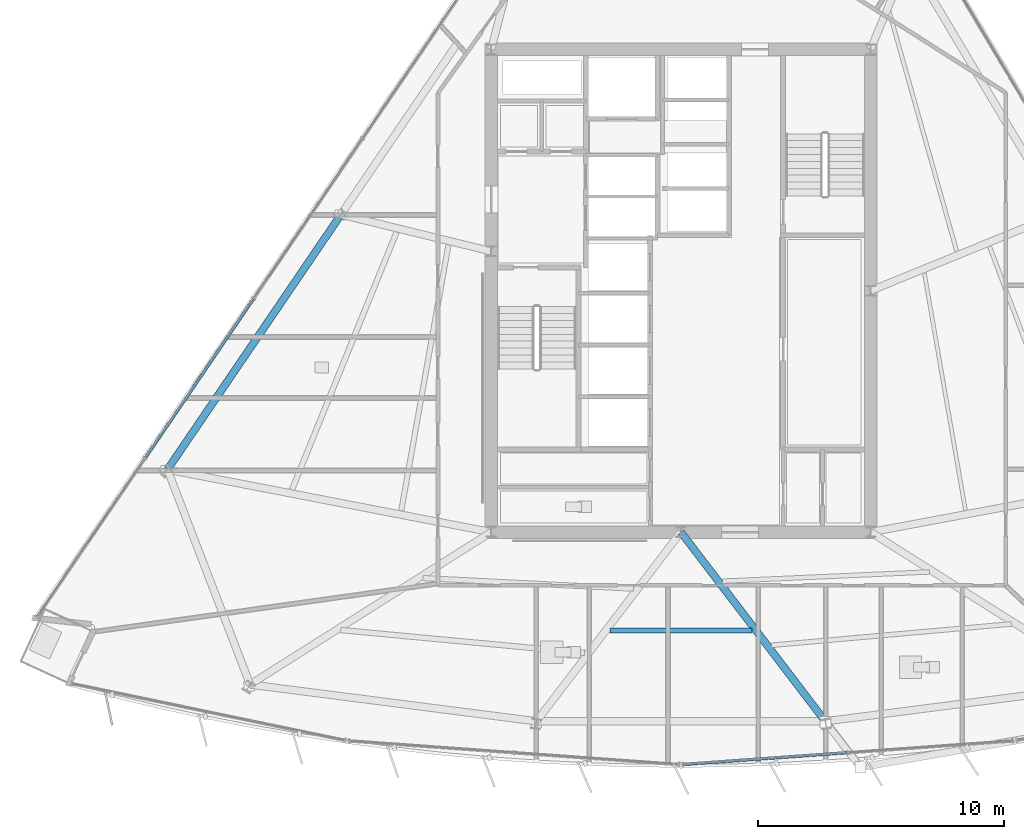
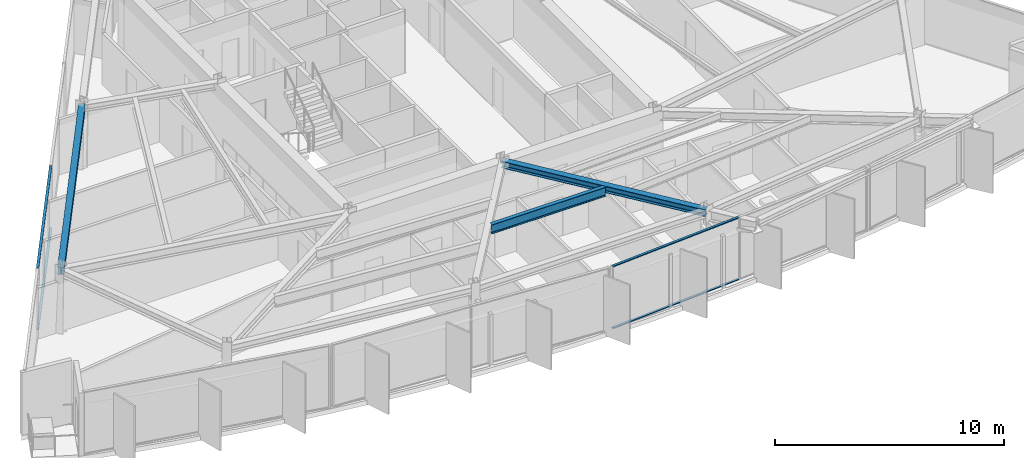
# One storey, part 3 of 15: 4 members, 3 beams, 2 elements without a shape of their own.
"""IFC4 building model written with IfcOpenShell, lengths in metres."""

from ifc_helpers import new_model, si_unit, direction, frame, origin, origin_2d, place, context, subcontext, project, spatial, rectangle, i_section, extrude, material, material_profile, profile_set, type_object, element, aggregate, save


model = new_model("IFC4")

# Units and contexts
model_context = context("Model", 3, precision=1e-05, world=origin(), true_north=direction((0.0, 1.0)))
body_context = subcontext(model_context, "Body", "Model", "MODEL_VIEW")
ifc_project = project(units=[si_unit("LENGTHUNIT", "METRE"), si_unit("AREAUNIT", "SQUARE_METRE"), si_unit("VOLUMEUNIT", "CUBIC_METRE"), si_unit("PLANEANGLEUNIT", "RADIAN"), si_unit("MASSUNIT", "GRAM", prefix="KILO")], contexts=[model_context])

# Site, building, storey
site_placement = place(None, origin())
site = spatial("IfcSite", under=ifc_project, at=site_placement, CompositionType="ELEMENT")
building_placement = place(site_placement, origin())
building = spatial("IfcBuilding", under=site, at=building_placement, Name="Savorim Split Tower", CompositionType="ELEMENT")
storey_placement = place(building_placement, frame((0.0, 0.0, 167.39990234375)))
storey = spatial("IfcBuildingStorey", under=building, at=storey_placement, Name="L44", CompositionType="ELEMENT", Elevation=167.39990234375)

# Beams
ifc_material_1 = material(Name="Steel S355", Category="steel")
ifc_material_profile_1 = material_profile(ifc_material_1, i_section(OverallWidth=0.199951171875, OverallDepth=0.5, WebThickness=0.01025390625, FlangeThickness=0.01611328125, FilletRadius=0.02099609375, at=origin_2d()), Name="IPE 500")
ifc_profile_set_1 = profile_set([ifc_material_profile_1], Name="Steel S355")
beam_type_1 = type_object("IfcBeamType", Name="BM-JST-IPE500", PredefinedType="JOIST", material=ifc_profile_set_1)
beam_1_placement = place(storey_placement, frame((-2.887939453125, -13.392822265625, 3.10009765625), z_axis=(1.0, 0.0, 0.0), x_axis=(0.0, 1.0, 0.0)))
element("IfcBeam", 1, at=beam_1_placement, inside=storey, type_object=beam_type_1, Name="L44 Secondary Floor Joist JS-03", PredefinedType="JOIST", context=body_context, shape_type="SweptSolid", body=[
    extrude(i_section(OverallWidth=0.199951171875, OverallDepth=0.5, WebThickness=0.01025390625, FlangeThickness=0.01611328125, FilletRadius=0.02099609375, at=origin_2d()), origin(), (0.0, 0.0, 1.0), 5.77587890625),
])
ifc_material_profile_2 = material_profile(ifc_material_1, i_section(OverallWidth=0.300048828125, OverallDepth=0.360107421875, WebThickness=0.012451171875, FlangeThickness=0.0224609375, FilletRadius=0.027099609375, at=origin_2d()), Name="HEB 360")
ifc_profile_set_2 = profile_set([ifc_material_profile_2], Name="Steel S355")
beam_type_2 = type_object("IfcBeamType", Name="BM-PRI-HEB360", PredefinedType="BEAM", material=ifc_profile_set_2)
beam_2_placement = place(storey_placement, frame((5.861328125, -17.07861328125, 3.170166015625), z_axis=(-0.606755694111, 0.794888374342, 0.0), x_axis=(-0.794888374342, -0.606755694111, 0.0)))
element("IfcBeam", 2, at=beam_2_placement, inside=storey, type_object=beam_type_2, Name="L44 Primary Floor Girder RG-03", PredefinedType="BEAM", context=body_context, shape_type="SweptSolid", body=[
    extrude(i_section(OverallWidth=0.300048828125, OverallDepth=0.360107421875, WebThickness=0.012451171875, FlangeThickness=0.0224609375, FilletRadius=0.027099609375, at=origin_2d()), origin(), (0.0, 0.0, 1.0), 9.66015625),
])
ifc_material_profile_3 = material_profile(ifc_material_1, i_section(OverallWidth=0.300048828125, OverallDepth=0.389892578125, WebThickness=0.010986328125, FlangeThickness=0.01904296875, FilletRadius=0.027099609375, at=origin_2d()), Name="HEA 400")
ifc_profile_set_3 = profile_set([ifc_material_profile_3], Name="Steel S355")
beam_type_3 = type_object("IfcBeamType", Name="BM-SPN-HEA400", PredefinedType="SPANDREL", material=ifc_profile_set_3)
beam_3_placement = place(storey_placement, frame((-13.798583984375, 3.492919921875, 3.155029296875), z_axis=(-0.562470025242, -0.826817676822, 0.0), x_axis=(0.826817676822, -0.562470025242, 0.0)))
element("IfcBeam", 3, at=beam_3_placement, inside=storey, type_object=beam_type_3, Name="L44 Perimeter Spandrel Beam 9", PredefinedType="SPANDREL", context=body_context, shape_type="SweptSolid", body=[
    extrude(i_section(OverallWidth=0.300048828125, OverallDepth=0.389892578125, WebThickness=0.010986328125, FlangeThickness=0.01904296875, FilletRadius=0.027099609375, at=origin_2d()), origin(), (0.0, 0.0, 1.0), 12.519775390625),
])

# Curtain wall, members
ifc_material_2 = material(Name="Dark Ceramic-Fritted Insulated Glass", Category="glass")
curtain_wall_type = type_object("IfcCurtainWallType", Name="CW-TWR-FRIT-B", PredefinedType="NOTDEFINED", material=ifc_material_2)
curtain_wall_1_placement = place(storey_placement, origin())
curtain_wall_1 = element("IfcCurtainWall", 4, at=curtain_wall_1_placement, inside=storey, type_object=curtain_wall_type, Name="L44 Curtain Wall CW-L44-SF3", PredefinedType="NOTDEFINED")
ifc_material_3 = material(Name="Charcoal Anodised Aluminium", Category="aluminium")
ifc_material_profile_4 = material_profile(ifc_material_3, rectangle(XDim=0.1201171875, YDim=0.050048828125, at=origin_2d()), Name="ALU-T 120x50")
ifc_profile_set_4 = profile_set([ifc_material_profile_4], Name="Charcoal Anodised Aluminium")
member_type = type_object("IfcMemberType", Name="CWT-120x50", PredefinedType="USERDEFINED", material=ifc_profile_set_4)
member_1_placement = place(storey_placement, frame((0.111083984375, -18.82373046875, 0.025146484375), z_axis=(0.997436296968, 0.071559999231, 0.0), x_axis=(-0.071559999231, 0.997436296968, 0.0)))
member_1 = element("IfcMember", 5, at=member_1_placement, type_object=member_type, Name="CW-03 transom 1.1", ObjectType="TRANSOM", PredefinedType="USERDEFINED", context=body_context, shape_type="SweptSolid", body=[
    extrude(rectangle(XDim=0.1201171875, YDim=0.050048828125, at=origin_2d()), origin(), (0.0, 0.0, 1.0), 6.65283203125),
])
member_2_placement = place(storey_placement, frame((0.111083984375, -18.82373046875, 3.3251953125), z_axis=(0.997436296968, 0.071559999231, 0.0), x_axis=(-0.071559999231, 0.997436296968, 0.0)))
member_2 = element("IfcMember", 6, at=member_2_placement, type_object=member_type, Name="CW-03 transom 1.2", ObjectType="TRANSOM", PredefinedType="USERDEFINED", context=body_context, shape_type="SweptSolid", body=[
    extrude(rectangle(XDim=0.1201171875, YDim=0.050048828125, at=origin_2d()), origin(), (0.0, 0.0, 1.0), 6.65283203125),
])
aggregate(curtain_wall_1, [member_1, member_2])

curtain_wall_2_placement = place(storey_placement, origin())
curtain_wall_2 = element("IfcCurtainWall", 7, at=curtain_wall_2_placement, inside=storey, type_object=curtain_wall_type, Name="L44 Curtain Wall CW-L44-WEST", PredefinedType="NOTDEFINED")
member_3_placement = place(storey_placement, frame((-17.35302734375, 0.064697265625, 0.025146484375), z_axis=(-0.562475680235, -0.826813829798, 0.0), x_axis=(0.826813829798, -0.562475680235, 0.0)))
member_3 = element("IfcMember", 8, at=member_3_placement, type_object=member_type, Name="CW-03 transom 3.1", ObjectType="TRANSOM", PredefinedType="USERDEFINED", context=body_context, shape_type="SweptSolid", body=[
    extrude(rectangle(XDim=0.1201171875, YDim=0.050048828125, at=origin_2d()), origin(), (0.0, 0.0, 1.0), 7.779296875),
])
member_4_placement = place(storey_placement, frame((-17.35302734375, 0.064697265625, 3.3251953125), z_axis=(-0.562475680235, -0.826813829798, 0.0), x_axis=(0.826813829798, -0.562475680235, 0.0)))
member_4 = element("IfcMember", 9, at=member_4_placement, type_object=member_type, Name="CW-03 transom 3.2", ObjectType="TRANSOM", PredefinedType="USERDEFINED", context=body_context, shape_type="SweptSolid", body=[
    extrude(rectangle(XDim=0.1201171875, YDim=0.050048828125, at=origin_2d()), origin(), (0.0, 0.0, 1.0), 7.779296875),
])
aggregate(curtain_wall_2, [member_3, member_4])

save(model, "model.ifc")
